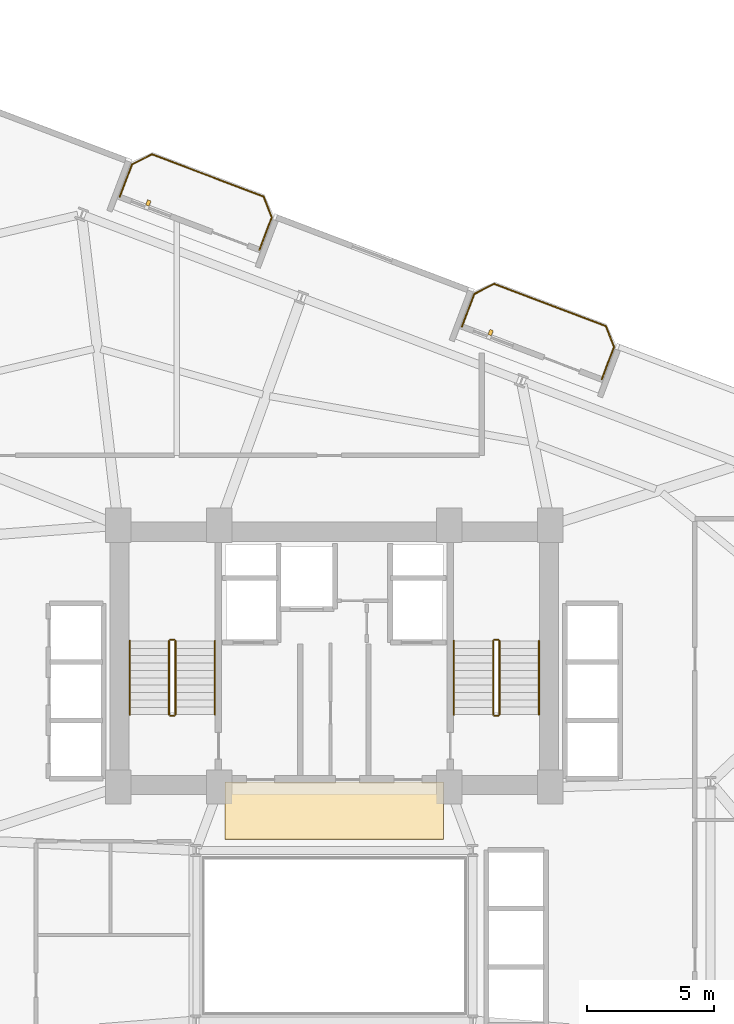
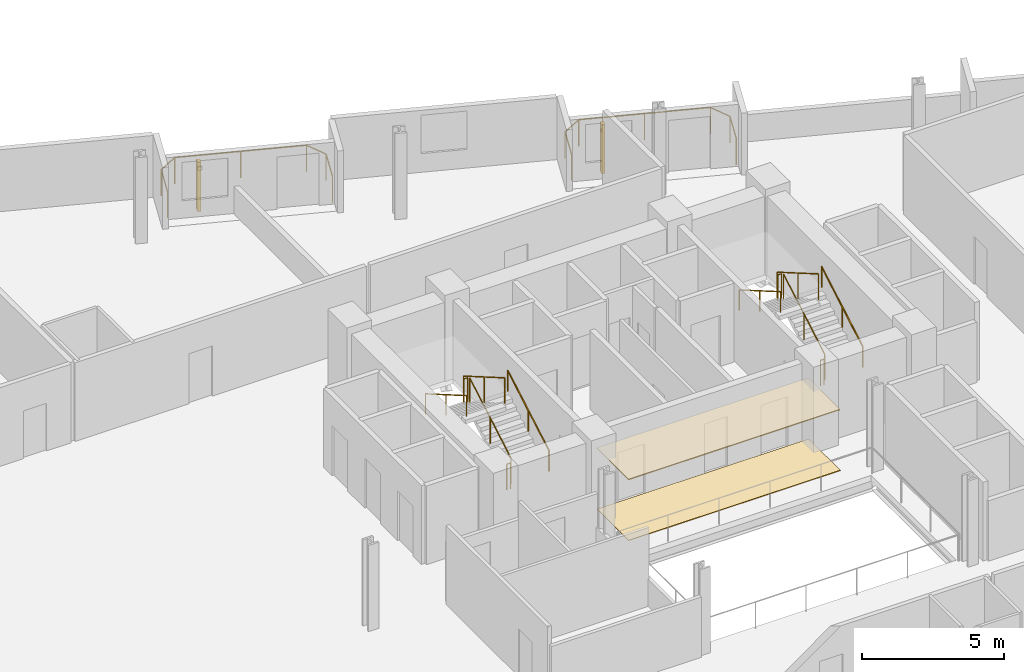
# One storey, part 24 of 25: 14 railings, 2 coverings, 2 shading devices.
"""IFC4 building model written with IfcOpenShell, lengths in metres."""

from ifc_helpers import new_model, si_unit, direction, frame, origin, origin_2d, place, context, subcontext, project, spatial, rectangle, circle, extrude, source, transform, mapped, material, layer, layer_set, type_object, element, save


model = new_model("IFC4")

# Units and contexts
model_context = context("Model", 3, precision=1e-05, world=origin(), true_north=direction((0.0, 1.0)))
body_context = subcontext(model_context, "Body", "Model", "MODEL_VIEW")
ifc_project = project(units=[si_unit("LENGTHUNIT", "METRE"), si_unit("AREAUNIT", "SQUARE_METRE"), si_unit("VOLUMEUNIT", "CUBIC_METRE"), si_unit("PLANEANGLEUNIT", "RADIAN"), si_unit("MASSUNIT", "GRAM", prefix="KILO")], contexts=[model_context])

# Site, building, storey
site_placement = place(None, origin())
site = spatial("IfcSite", under=ifc_project, at=site_placement, CompositionType="ELEMENT")
building_placement = place(site_placement, origin())
building = spatial("IfcBuilding", under=site, at=building_placement, Name="Varnelok Gate Tower", CompositionType="ELEMENT")
storey_placement = place(building_placement, frame((0.0, 0.0, 113.199951171875)))
storey = spatial("IfcBuildingStorey", under=building, at=storey_placement, Name="L28", CompositionType="ELEMENT", Elevation=113.199951171875)

# Railings
ifc_material_1 = material(Name="Low-E Laminated Double Glazing IGU", Category="glass")
railing_type_1 = type_object("IfcRailingType", Name="RL-BALC-1150", PredefinedType="BALUSTRADE", material=ifc_material_1)
railing_1_placement = place(storey_placement, frame((30.7548828125, 51.967529296875, 0.0)))
element("IfcRailing", 1, at=railing_1_placement, inside=storey, type_object=railing_type_1, Name="L28 North Terrace Balustrade 4", PredefinedType="BALUSTRADE", context=body_context, shape_type="SweptSolid", body=[
    extrude(circle(Radius=0.02392578125, at=origin_2d()), frame((0.0, 0.0, 1.1259765625), z_axis=(0.354090105886, 0.935211311369, 0.0), x_axis=(-0.935211311369, 0.354090105886, 0.0)), (0.0, 0.0, 1.0), 1.3701171875),
    extrude(circle(Radius=0.02392578125, at=origin_2d()), frame((0.485107421875, 1.28125, 1.1259765625), z_axis=(0.89078254773, 0.454429810487, 0.0), x_axis=(-0.454429810487, 0.89078254773, 0.0)), (0.0, 0.0, 1.0), 0.8779296875),
    extrude(circle(Radius=0.02392578125, at=origin_2d()), frame((1.26708984375, 1.68017578125, 1.1259765625), z_axis=(0.935223045203, -0.354059113314, 0.0), x_axis=(0.354059113314, 0.935223045203, 0.0)), (0.0, 0.0, 1.0), 4.699951171875),
    extrude(circle(Radius=0.02392578125, at=origin_2d()), frame((5.66259765625, 0.01611328125, 1.1259765625), z_axis=(0.366349384437, -0.930477365938, 0.0), x_axis=(0.930477365938, 0.366349384437, 0.0)), (0.0, 0.0, 1.0), 0.877685546875),
    extrude(circle(Radius=0.02392578125, at=origin_2d()), frame((5.984130859375, -0.800537109375, 1.1259765625), z_axis=(-0.354090105886, -0.935211311369, 0.0), x_axis=(0.935211311369, -0.354090105886, 0.0)), (0.0, 0.0, 1.0), 1.3701171875),
    extrude(circle(Radius=0.02099609375, at=origin_2d()), origin(), (0.0, 0.0, 1.0), 1.101806640625),
    extrude(circle(Radius=0.02099609375, at=origin_2d()), frame((0.485107421875, 1.28125, 0.0)), (0.0, 0.0, 1.0), 1.101806640625),
    extrude(circle(Radius=0.02099609375, at=origin_2d()), frame((1.26708984375, 1.68017578125, 0.0)), (0.0, 0.0, 1.0), 1.101806640625),
    extrude(circle(Radius=0.02099609375, at=origin_2d()), frame((3.46484375, 0.84814453125, 0.0)), (0.0, 0.0, 1.0), 1.101806640625),
    extrude(circle(Radius=0.02099609375, at=origin_2d()), frame((5.66259765625, 0.01611328125, 0.0)), (0.0, 0.0, 1.0), 1.101806640625),
    extrude(circle(Radius=0.02099609375, at=origin_2d()), frame((5.984130859375, -0.800537109375, 0.0)), (0.0, 0.0, 1.0), 1.101806640625),
    extrude(circle(Radius=0.02099609375, at=origin_2d()), frame((5.4990234375, -2.081787109375, 0.0)), (0.0, 0.0, 1.0), 1.101806640625),
])
railing_2_placement = place(storey_placement, frame((44.22216796875, 46.869140625, 0.0)))
element("IfcRailing", 2, at=railing_2_placement, inside=storey, type_object=railing_type_1, Name="L28 North Terrace Balustrade 5", PredefinedType="BALUSTRADE", context=body_context, shape_type="SweptSolid", body=[
    extrude(circle(Radius=0.02392578125, at=origin_2d()), frame((0.0, 0.0, 1.1259765625), z_axis=(0.354090105886, 0.935211311369, 0.0), x_axis=(-0.935211311369, 0.354090105886, 0.0)), (0.0, 0.0, 1.0), 1.3701171875),
    extrude(circle(Radius=0.02392578125, at=origin_2d()), frame((0.485107421875, 1.28125, 1.1259765625), z_axis=(0.890725095116, 0.454542412686, 0.0), x_axis=(-0.454542412686, 0.890725095116, 0.0)), (0.0, 0.0, 1.0), 0.877685546875),
    extrude(circle(Radius=0.02392578125, at=origin_2d()), frame((1.266845703125, 1.68017578125, 1.1259765625), z_axis=(0.935223045203, -0.354059113314, 0.0), x_axis=(0.354059113314, 0.935223045203, 0.0)), (0.0, 0.0, 1.0), 4.699951171875),
    extrude(circle(Radius=0.02392578125, at=origin_2d()), frame((5.662353515625, 0.01611328125, 1.1259765625), z_axis=(0.366495340819, -0.93041988648, 0.0), x_axis=(0.93041988648, 0.366495340819, 0.0)), (0.0, 0.0, 1.0), 0.8779296875),
    extrude(circle(Radius=0.02392578125, at=origin_2d()), frame((5.984130859375, -0.80078125, 1.1259765625), z_axis=(-0.354090105886, -0.935211311369, 0.0), x_axis=(0.935211311369, -0.354090105886, 0.0)), (0.0, 0.0, 1.0), 1.3701171875),
    extrude(circle(Radius=0.02099609375, at=origin_2d()), origin(), (0.0, 0.0, 1.0), 1.101806640625),
    extrude(circle(Radius=0.02099609375, at=origin_2d()), frame((0.485107421875, 1.28125, 0.0)), (0.0, 0.0, 1.0), 1.101806640625),
    extrude(circle(Radius=0.02099609375, at=origin_2d()), frame((1.266845703125, 1.68017578125, 0.0)), (0.0, 0.0, 1.0), 1.101806640625),
    extrude(circle(Radius=0.02099609375, at=origin_2d()), frame((3.464599609375, 0.84814453125, 0.0)), (0.0, 0.0, 1.0), 1.101806640625),
    extrude(circle(Radius=0.02099609375, at=origin_2d()), frame((5.662353515625, 0.01611328125, 0.0)), (0.0, 0.0, 1.0), 1.101806640625),
    extrude(circle(Radius=0.02099609375, at=origin_2d()), frame((5.984130859375, -0.80078125, 0.0)), (0.0, 0.0, 1.0), 1.101806640625),
    extrude(circle(Radius=0.02099609375, at=origin_2d()), frame((5.4990234375, -2.08203125, 0.0)), (0.0, 0.0, 1.0), 1.101806640625),
])
ifc_material_2 = material(Name="Brushed Stainless Steel AISI 316", Category="steel")
railing_type_2 = type_object("IfcRailingType", Name="RL-HANDRAIL-900", PredefinedType="HANDRAIL", material=ifc_material_2)
railing_3_placement = place(storey_placement, frame((34.5, 31.60009765625, 0.168212890625)))
element("IfcRailing", 3, at=railing_3_placement, inside=storey, type_object=railing_type_2, Name="L28 ST-1 stair handrail 1", PredefinedType="HANDRAIL", context=body_context, shape_type="SweptSolid", body=[
    extrude(circle(Radius=0.02392578125, at=origin_2d()), frame((0.0, 0.0, 0.8759765625), z_axis=(0.0, 0.865038774852, 0.501705010941), x_axis=(-1.0, 0.0, 0.0)), (0.0, 0.0, 1.0), 3.352294921875),
    extrude(circle(Radius=0.02099609375, at=origin_2d()), origin(), (0.0, 0.0, 1.0), 0.851806640625),
    extrude(circle(Radius=0.02099609375, at=origin_2d()), frame((0.0, 1.449951171875, 0.8408203125)), (0.0, 0.0, 1.0), 0.851806640625),
    extrude(circle(Radius=0.02099609375, at=origin_2d()), frame((0.0, 2.89990234375, 1.681884765625)), (0.0, 0.0, 1.0), 0.851806640625),
])
railing_4_placement = place(storey_placement, frame((31.14990234375, 34.5, 2.018310546875)))
element("IfcRailing", 4, at=railing_4_placement, inside=storey, type_object=railing_type_2, Name="L28 ST-1 stair handrail 2", PredefinedType="HANDRAIL", context=body_context, shape_type="SweptSolid", body=[
    extrude(circle(Radius=0.02392578125, at=origin_2d()), frame((0.0, 0.0, 0.8759765625), z_axis=(0.0, -0.86507038078, 0.501650512107), x_axis=(1.0, 0.0, 0.0)), (0.0, 0.0, 1.0), 3.352294921875),
    extrude(circle(Radius=0.02099609375, at=origin_2d()), origin(), (0.0, 0.0, 1.0), 0.851806640625),
    extrude(circle(Radius=0.02099609375, at=origin_2d()), frame((0.0, -1.449951171875, 0.8408203125)), (0.0, 0.0, 1.0), 0.851806640625),
    extrude(circle(Radius=0.02099609375, at=origin_2d()), frame((0.0, -2.89990234375, 1.681640625)), (0.0, 0.0, 1.0), 0.851806640625),
])
railing_5_placement = place(storey_placement, frame((47.25, 31.60009765625, 0.168212890625)))
element("IfcRailing", 5, at=railing_5_placement, inside=storey, type_object=railing_type_2, Name="L28 ST-2 stair handrail 1", PredefinedType="HANDRAIL", context=body_context, shape_type="SweptSolid", body=[
    extrude(circle(Radius=0.02392578125, at=origin_2d()), frame((0.0, 0.0, 0.8759765625), z_axis=(0.0, 0.865038774852, 0.501705010941), x_axis=(-1.0, 0.0, 0.0)), (0.0, 0.0, 1.0), 3.352294921875),
    extrude(circle(Radius=0.02099609375, at=origin_2d()), origin(), (0.0, 0.0, 1.0), 0.851806640625),
    extrude(circle(Radius=0.02099609375, at=origin_2d()), frame((0.0, 1.449951171875, 0.8408203125)), (0.0, 0.0, 1.0), 0.851806640625),
    extrude(circle(Radius=0.02099609375, at=origin_2d()), frame((0.0, 2.89990234375, 1.681884765625)), (0.0, 0.0, 1.0), 0.851806640625),
])
railing_6_placement = place(storey_placement, frame((43.89990234375, 34.5, 2.018310546875)))
element("IfcRailing", 6, at=railing_6_placement, inside=storey, type_object=railing_type_2, Name="L28 ST-2 stair handrail 2", PredefinedType="HANDRAIL", context=body_context, shape_type="SweptSolid", body=[
    extrude(circle(Radius=0.02392578125, at=origin_2d()), frame((0.0, 0.0, 0.8759765625), z_axis=(0.0, -0.86507038078, 0.501650512107), x_axis=(1.0, 0.0, 0.0)), (0.0, 0.0, 1.0), 3.352294921875),
    extrude(circle(Radius=0.02099609375, at=origin_2d()), origin(), (0.0, 0.0, 1.0), 0.851806640625),
    extrude(circle(Radius=0.02099609375, at=origin_2d()), frame((0.0, -1.449951171875, 0.8408203125)), (0.0, 0.0, 1.0), 0.851806640625),
    extrude(circle(Radius=0.02099609375, at=origin_2d()), frame((0.0, -2.89990234375, 1.681640625)), (0.0, 0.0, 1.0), 0.851806640625),
])
ifc_material_3 = material(Name="Galvanized Steel Grade S350GD", Category="steel")
railing_type_3 = type_object("IfcRailingType", Name="RL-STAIR-GUARD1120", PredefinedType="GUARDRAIL", material=ifc_material_3)
railing_7_placement = place(storey_placement, frame((32.949951171875, 31.60009765625, 0.168212890625)))
element("IfcRailing", 7, at=railing_7_placement, inside=storey, type_object=railing_type_3, Name="L28 ST-1 stair guard 1", PredefinedType="GUARDRAIL", context=body_context, shape_type="SweptSolid", body=[
    extrude(circle(Radius=0.02392578125, at=origin_2d()), frame((0.0, 0.0, 1.09619140625), z_axis=(0.0, 0.865038774852, 0.501705010941), x_axis=(-1.0, 0.0, 0.0)), (0.0, 0.0, 1.0), 3.352294921875),
    extrude(circle(Radius=0.02099609375, at=origin_2d()), origin(), (0.0, 0.0, 1.0), 1.072021484375),
    extrude(circle(Radius=0.02099609375, at=origin_2d()), frame((0.0, 1.449951171875, 0.8408203125)), (0.0, 0.0, 1.0), 1.072021484375),
    extrude(circle(Radius=0.02099609375, at=origin_2d()), frame((0.0, 2.89990234375, 1.681884765625)), (0.0, 0.0, 1.0), 1.072021484375),
])
railing_8_placement = place(storey_placement, frame((32.89990234375, 34.550048828125, 1.85009765625)))
element("IfcRailing", 8, at=railing_8_placement, inside=storey, type_object=railing_type_3, Name="L28 ST-1 stair guard 2", PredefinedType="GUARDRAIL", context=body_context, shape_type="SweptSolid", body=[
    extrude(circle(Radius=0.02392578125, at=origin_2d()), frame((0.0, 0.0, 1.09619140625), z_axis=(-1.0, 0.0, 0.0), x_axis=(0.0, -1.0, 0.0)), (0.0, 0.0, 1.0), 0.14990234375),
    extrude(circle(Radius=0.02099609375, at=origin_2d()), origin(), (0.0, 0.0, 1.0), 1.072021484375),
    extrude(circle(Radius=0.02099609375, at=origin_2d()), frame((-0.14990234375, 0.0, 0.0)), (0.0, 0.0, 1.0), 1.072021484375),
])
railing_9_placement = place(storey_placement, frame((32.699951171875, 34.5, 2.018310546875)))
element("IfcRailing", 9, at=railing_9_placement, inside=storey, type_object=railing_type_3, Name="L28 ST-1 stair guard 3", PredefinedType="GUARDRAIL", context=body_context, shape_type="SweptSolid", body=[
    extrude(circle(Radius=0.02392578125, at=origin_2d()), frame((0.0, 0.0, 1.09619140625), z_axis=(0.0, -0.86507038078, 0.501650512107), x_axis=(1.0, 0.0, 0.0)), (0.0, 0.0, 1.0), 3.352294921875),
    extrude(circle(Radius=0.02099609375, at=origin_2d()), origin(), (0.0, 0.0, 1.0), 1.072021484375),
    extrude(circle(Radius=0.02099609375, at=origin_2d()), frame((0.0, -1.449951171875, 0.8408203125)), (0.0, 0.0, 1.0), 1.072021484375),
    extrude(circle(Radius=0.02099609375, at=origin_2d()), frame((0.0, -2.89990234375, 1.681640625)), (0.0, 0.0, 1.0), 1.072021484375),
])
railing_10_placement = place(storey_placement, frame((32.89990234375, 31.550048828125, 0.0)))
element("IfcRailing", 10, at=railing_10_placement, inside=storey, type_object=railing_type_3, Name="L28 ST-1 stair guard 4", PredefinedType="GUARDRAIL", context=body_context, shape_type="SweptSolid", body=[
    extrude(circle(Radius=0.02392578125, at=origin_2d()), frame((0.0, 0.0, 1.09619140625), z_axis=(-1.0, 0.0, 0.0), x_axis=(0.0, -1.0, 0.0)), (0.0, 0.0, 1.0), 0.14990234375),
    extrude(circle(Radius=0.02099609375, at=origin_2d()), origin(), (0.0, 0.0, 1.0), 1.072021484375),
    extrude(circle(Radius=0.02099609375, at=origin_2d()), frame((-0.14990234375, 0.0, 0.0)), (0.0, 0.0, 1.0), 1.072021484375),
])
railing_11_placement = place(storey_placement, frame((45.699951171875, 31.60009765625, 0.168212890625)))
element("IfcRailing", 11, at=railing_11_placement, inside=storey, type_object=railing_type_3, Name="L28 ST-2 stair guard 1", PredefinedType="GUARDRAIL", context=body_context, shape_type="SweptSolid", body=[
    extrude(circle(Radius=0.02392578125, at=origin_2d()), frame((0.0, 0.0, 1.09619140625), z_axis=(0.0, 0.865038774852, 0.501705010941), x_axis=(-1.0, 0.0, 0.0)), (0.0, 0.0, 1.0), 3.352294921875),
    extrude(circle(Radius=0.02099609375, at=origin_2d()), origin(), (0.0, 0.0, 1.0), 1.072021484375),
    extrude(circle(Radius=0.02099609375, at=origin_2d()), frame((0.0, 1.449951171875, 0.8408203125)), (0.0, 0.0, 1.0), 1.072021484375),
    extrude(circle(Radius=0.02099609375, at=origin_2d()), frame((0.0, 2.89990234375, 1.681884765625)), (0.0, 0.0, 1.0), 1.072021484375),
])
railing_12_placement = place(storey_placement, frame((45.64990234375, 34.550048828125, 1.85009765625)))
element("IfcRailing", 12, at=railing_12_placement, inside=storey, type_object=railing_type_3, Name="L28 ST-2 stair guard 2", PredefinedType="GUARDRAIL", context=body_context, shape_type="SweptSolid", body=[
    extrude(circle(Radius=0.02392578125, at=origin_2d()), frame((0.0, 0.0, 1.09619140625), z_axis=(-1.0, 0.0, 0.0), x_axis=(0.0, -1.0, 0.0)), (0.0, 0.0, 1.0), 0.14990234375),
    extrude(circle(Radius=0.02099609375, at=origin_2d()), origin(), (0.0, 0.0, 1.0), 1.072021484375),
    extrude(circle(Radius=0.02099609375, at=origin_2d()), frame((-0.14990234375, 0.0, 0.0)), (0.0, 0.0, 1.0), 1.072021484375),
])
railing_13_placement = place(storey_placement, frame((45.449951171875, 34.5, 2.018310546875)))
element("IfcRailing", 13, at=railing_13_placement, inside=storey, type_object=railing_type_3, Name="L28 ST-2 stair guard 3", PredefinedType="GUARDRAIL", context=body_context, shape_type="SweptSolid", body=[
    extrude(circle(Radius=0.02392578125, at=origin_2d()), frame((0.0, 0.0, 1.09619140625), z_axis=(0.0, -0.86507038078, 0.501650512107), x_axis=(1.0, 0.0, 0.0)), (0.0, 0.0, 1.0), 3.352294921875),
    extrude(circle(Radius=0.02099609375, at=origin_2d()), origin(), (0.0, 0.0, 1.0), 1.072021484375),
    extrude(circle(Radius=0.02099609375, at=origin_2d()), frame((0.0, -1.449951171875, 0.8408203125)), (0.0, 0.0, 1.0), 1.072021484375),
    extrude(circle(Radius=0.02099609375, at=origin_2d()), frame((0.0, -2.89990234375, 1.681640625)), (0.0, 0.0, 1.0), 1.072021484375),
])
railing_14_placement = place(storey_placement, frame((45.64990234375, 31.550048828125, 0.0)))
element("IfcRailing", 14, at=railing_14_placement, inside=storey, type_object=railing_type_3, Name="L28 ST-2 stair guard 4", PredefinedType="GUARDRAIL", context=body_context, shape_type="SweptSolid", body=[
    extrude(circle(Radius=0.02392578125, at=origin_2d()), frame((0.0, 0.0, 1.09619140625), z_axis=(-1.0, 0.0, 0.0), x_axis=(0.0, -1.0, 0.0)), (0.0, 0.0, 1.0), 0.14990234375),
    extrude(circle(Radius=0.02099609375, at=origin_2d()), origin(), (0.0, 0.0, 1.0), 1.072021484375),
    extrude(circle(Radius=0.02099609375, at=origin_2d()), frame((-0.14990234375, 0.0, 0.0)), (0.0, 0.0, 1.0), 1.072021484375),
])

# Shading devices
ifc_material_4 = material(Name="Glazed Architectural Terracotta Ceramic", Category="masonry")
shading_device_type = type_object("IfcShadingDeviceType", Name="SHD-TERRA-BAGUETTE", PredefinedType="USERDEFINED", material=ifc_material_4)
shared_shape_1 = source(origin(), body_context, "Body", "SweptSolid", [
    extrude(rectangle(XDim=0.139892578125, YDim=0.219970703125, at=origin_2d()), origin(), (0.0, 0.0, 1.0), 2.10009765625),
])
for number, where, z_axis, x_axis, name in (
    (15, (31.884765625, 51.732421875, 0.10009765625), (0.0, 0.0, 1.0), (0.935221751401, -0.354062530786, 0.0), "L28 Terracotta Ceramic Baguette Sunscreen 4.1"),
    (16, (45.35205078125, 46.6337890625, 0.10009765625), (0.0, 0.0, 1.0), (0.935221751401, -0.354062530786, 0.0), "L28 Terracotta Ceramic Baguette Sunscreen 5.1"),
):
    element("IfcShadingDevice", number, at=place(storey_placement, frame(where, z_axis=z_axis, x_axis=x_axis)), inside=storey, type_object=shading_device_type, Name=name, ObjectType="BAGUETTE", PredefinedType="USERDEFINED", context=body_context, shape_type="MappedRepresentation", body=[
        mapped(shared_shape_1, transform((0.0, 0.0, 0.0), scale=1.0)),
    ])

# Coverings
ifc_material_5 = material(Name="Honed Travertine Stone Flooring", Category="masonry")
ifc_layer_1 = layer(ifc_material_5, 0.02490234375)
ifc_layer_set_1 = layer_set([ifc_layer_1], Name="Honed Travertine Stone Flooring")
covering_type_1 = type_object("IfcCoveringType", Name="COV-FLOR-STONE", PredefinedType="FLOORING", material=ifc_layer_set_1)
shared_shape_2 = source(origin(), body_context, "Body", "SweptSolid", [
    extrude(rectangle(XDim=8.60009765625, YDim=2.219970703125, at=origin_2d()), origin(), (0.0, 0.0, 1.0), 0.02490234375),
])
covering_1_placement = place(storey_placement, frame((39.199951171875, 27.800048828125, 0.0), z_axis=(0.0, 0.0, 1.0), x_axis=(1.0, 0.0, 0.0)))
element("IfcCovering", 17, at=covering_1_placement, inside=storey, type_object=covering_type_1, Name="L28 Core Gallery Stone Flooring", PredefinedType="FLOORING", context=body_context, shape_type="MappedRepresentation", body=[
    mapped(shared_shape_2, transform((0.0, 0.0, 0.0), scale=1.0)),
])
ifc_material_6 = material(Name="Mineral Fiber Acoustic Ceiling Tile")
ifc_layer_2 = layer(ifc_material_6, 0.0400390625)
ifc_layer_set_2 = layer_set([ifc_layer_2], Name="Mineral Fiber Acoustic Ceiling Tile")
covering_type_2 = type_object("IfcCoveringType", Name="COV-CEIL-ACOUST", PredefinedType="CEILING", material=ifc_layer_set_2)
shared_shape_3 = source(origin(), body_context, "Body", "SweptSolid", [
    extrude(rectangle(XDim=8.60009765625, YDim=2.239990234375, at=origin_2d()), origin(), (0.0, 0.0, 1.0), 0.0400390625),
])
covering_2_placement = place(storey_placement, frame((39.199951171875, 27.820068359375, 2.60009765625), z_axis=(0.0, 0.0, 1.0), x_axis=(1.0, 0.0, 0.0)))
element("IfcCovering", 18, at=covering_2_placement, inside=storey, type_object=covering_type_2, Name="L28 Core Gallery Acoustic Ceiling", PredefinedType="CEILING", context=body_context, shape_type="MappedRepresentation", body=[
    mapped(shared_shape_3, transform((0.0, 0.0, 0.0), scale=1.0)),
])

save(model, "model.ifc")
